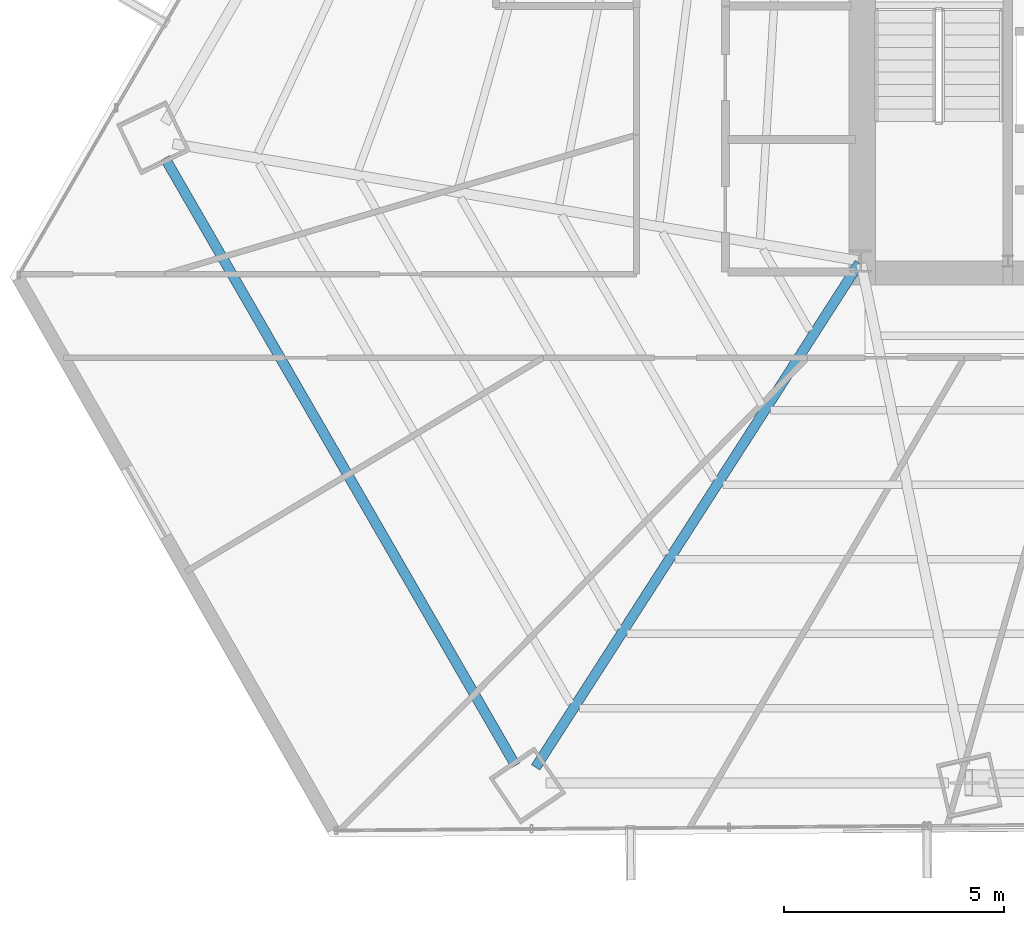
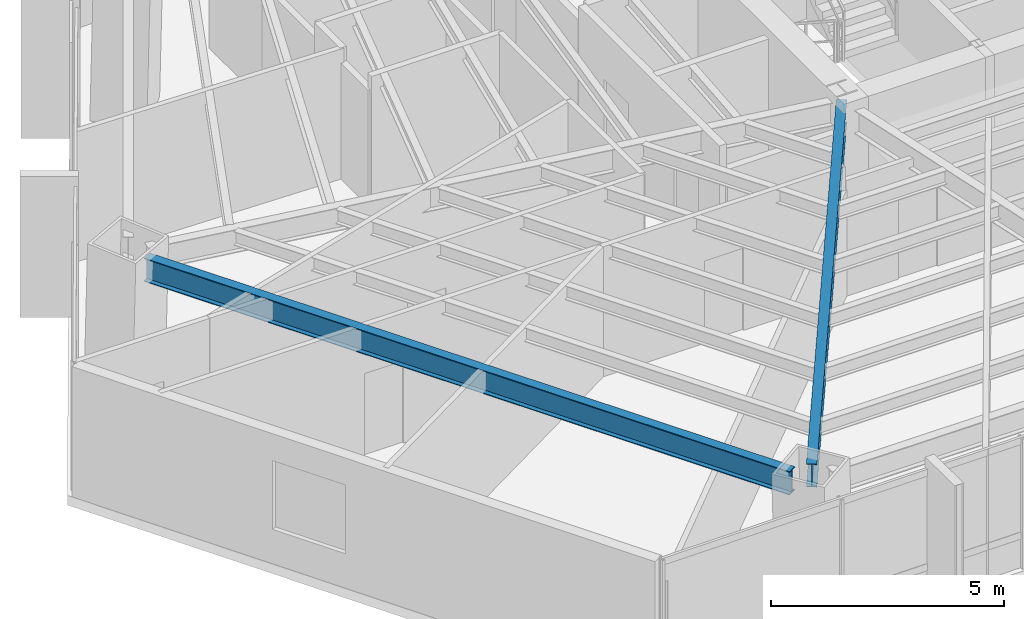
# One storey, part 5 of 36: 2 beams.
"""IFC4 building model written with IfcOpenShell, lengths in metres."""

from ifc_helpers import new_model, si_unit, direction, frame, origin, origin_2d, place, context, subcontext, project, spatial, i_section, extrude, source, transform, mapped, material, material_profile, profile_set, type_object, type_shapes, element, save


model = new_model("IFC4")

# Units and contexts
model_context = context("Model", 3, precision=1e-05, world=origin(), true_north=direction((0.0, 1.0)))
body_context = subcontext(model_context, "Body", "Model", "MODEL_VIEW")
ifc_project = project(units=[si_unit("LENGTHUNIT", "METRE"), si_unit("AREAUNIT", "SQUARE_METRE"), si_unit("VOLUMEUNIT", "CUBIC_METRE"), si_unit("PLANEANGLEUNIT", "RADIAN"), si_unit("MASSUNIT", "GRAM", prefix="KILO")], contexts=[model_context])

# Site, building, storey
site_placement = place(None, origin())
site = spatial("IfcSite", under=ifc_project, at=site_placement, CompositionType="ELEMENT")
building_placement = place(site_placement, origin())
building = spatial("IfcBuilding", under=site, at=building_placement, Name="Caelisora Broadcast Tower", CompositionType="ELEMENT")
storey_placement = place(building_placement, frame((0.0, 0.0, 60.449951171875)))
storey = spatial("IfcBuildingStorey", under=building, at=storey_placement, Name="L15", CompositionType="ELEMENT", Elevation=60.449951171875)

# Beams
ifc_material = material(Name="Steel Grade 350 (AS/NZS 3679.1)", Category="steel")
ifc_material_profile_1 = material_profile(ifc_material, i_section(OverallWidth=0.22900390625, OverallDepth=0.611572265625, WebThickness=0.011962890625, FlangeThickness=0.01953125, at=origin_2d()), Name="Steel Grade 350 (AS/NZS 3679.1)")
ifc_profile_set_1 = profile_set([ifc_material_profile_1], Name="Steel Grade 350 (AS/NZS 3679.1)")
beam_type_1 = type_object("IfcBeamType", Name="PG03", PredefinedType="BEAM", material=ifc_profile_set_1)
shared_shape_1 = source(origin(), body_context, "Body", "SweptSolid", [
    extrude(i_section(OverallWidth=0.22900390625, OverallDepth=0.611572265625, WebThickness=0.011962890625, FlangeThickness=0.01953125, at=origin_2d()), origin(), (0.0, 0.0, 1.0), 15.959228515625),
])
type_shapes(beam_type_1, [shared_shape_1])
beam_1_placement = place(storey_placement, frame((14.66650390625, 19.742431640625, 3.09423828125), z_axis=(0.499995684971, -0.866027895053, 0.0), x_axis=(0.866027895053, 0.499995684971, 0.0)))
element("IfcBeam", 1, at=beam_1_placement, inside=storey, type_object=beam_type_1, Name="L15 beam PG03", PredefinedType="BEAM", context=body_context, shape_type="MappedRepresentation", body=[
    mapped(shared_shape_1, transform((0.0, 0.0, 0.0), scale=1.0)),
])
ifc_material_profile_2 = material_profile(ifc_material, i_section(OverallWidth=0.22802734375, OverallDepth=0.602294921875, WebThickness=0.010498046875, FlangeThickness=0.014892578125, at=origin_2d()), Name="Steel Grade 350 (AS/NZS 3679.1)")
ifc_profile_set_2 = profile_set([ifc_material_profile_2], Name="Steel Grade 350 (AS/NZS 3679.1)")
beam_type_2 = type_object("IfcBeamType", Name="PG04", PredefinedType="BEAM", material=ifc_profile_set_2)
shared_shape_2 = source(origin(), body_context, "Body", "SweptSolid", [
    extrude(i_section(OverallWidth=0.22802734375, OverallDepth=0.602294921875, WebThickness=0.010498046875, FlangeThickness=0.014892578125, at=origin_2d()), origin(), (0.0, 0.0, 1.0), 13.63330078125),
])
type_shapes(beam_type_2, [shared_shape_2])
beam_2_placement = place(storey_placement, frame((30.467529296875, 17.349609375, 3.098876953125), z_axis=(-0.540181836543, -0.841548325095, 0.0), x_axis=(0.841548325095, -0.540181836543, 0.0)))
element("IfcBeam", 2, at=beam_2_placement, inside=storey, type_object=beam_type_2, Name="L15 beam PG04", PredefinedType="BEAM", context=body_context, shape_type="MappedRepresentation", body=[
    mapped(shared_shape_2, transform((0.0, 0.0, 0.0), scale=1.0)),
])

save(model, "model.ifc")
